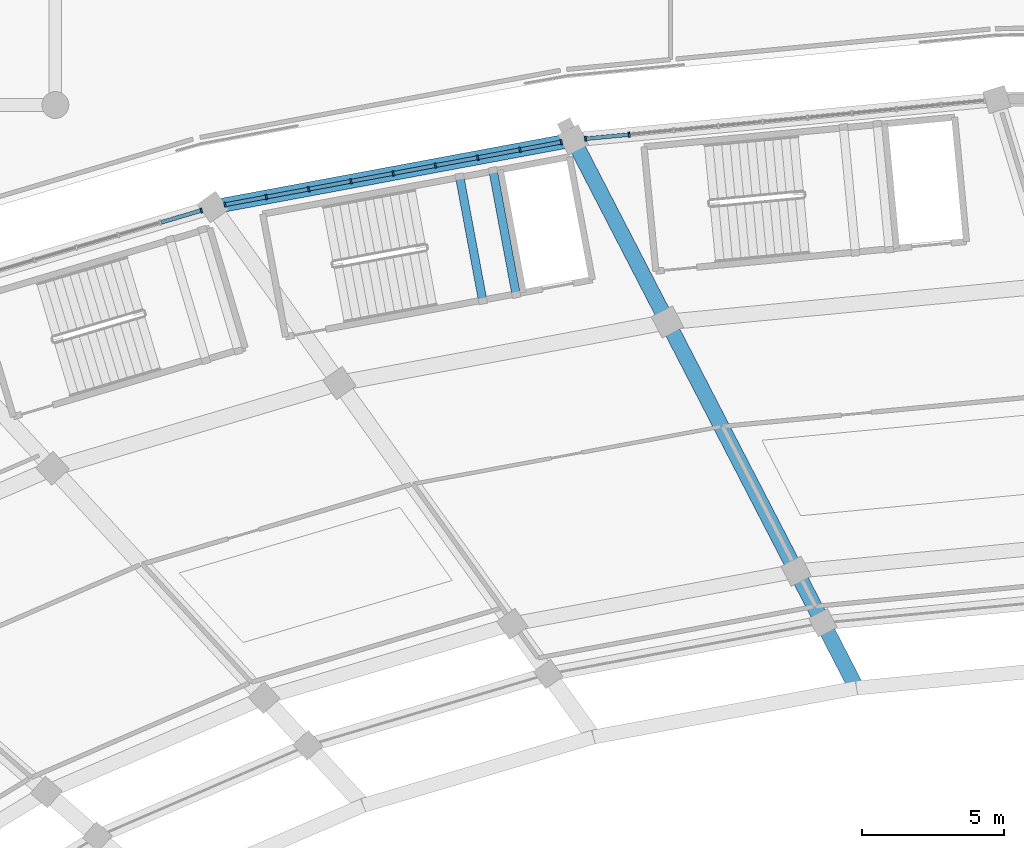
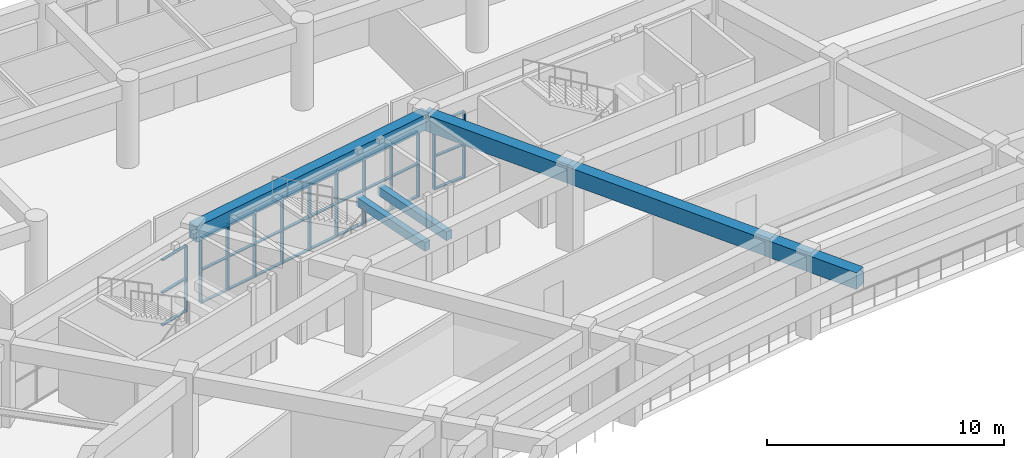
# One storey, part 63 of 145: 42 members, 5 beams, 3 elements without a shape of their own.
"""IFC4 building model written with IfcOpenShell, lengths in metres."""

from ifc_helpers import new_model, si_unit, direction, frame, origin, origin_2d, place, context, subcontext, project, spatial, rectangle, extrude, material, layer, layer_set, material_profile, profile_set, type_object, element, aggregate, save


model = new_model("IFC4")

# Units and contexts
model_context = context("Model", 3, precision=1e-05, world=origin(), true_north=direction((0.0, 1.0)))
body_context = subcontext(model_context, "Body", "Model", "MODEL_VIEW")
ifc_project = project(units=[si_unit("LENGTHUNIT", "METRE"), si_unit("AREAUNIT", "SQUARE_METRE"), si_unit("VOLUMEUNIT", "CUBIC_METRE"), si_unit("PLANEANGLEUNIT", "RADIAN"), si_unit("MASSUNIT", "GRAM", prefix="KILO")], contexts=[model_context])

# Site, building, storey
site_placement = place(None, origin())
site = spatial("IfcSite", under=ifc_project, at=site_placement, CompositionType="ELEMENT")
building_placement = place(site_placement, origin())
building = spatial("IfcBuilding", under=site, at=building_placement, Name="Mphavela Belvedere Stadium", CompositionType="ELEMENT")
storey_placement = place(building_placement, frame((0.0, 0.0, 10.199951171875)))
storey = spatial("IfcBuildingStorey", under=building, at=storey_placement, Name="L02", CompositionType="ELEMENT", Elevation=10.199951171875)

# Beams
ifc_material_1 = material(Name="Concrete C40/50", Category="concrete")
ifc_material_profile_1 = material_profile(ifc_material_1, rectangle(XDim=0.300048828125, YDim=0.449951171875, at=origin_2d()), Name="RC 300x450")
ifc_profile_set_1 = profile_set([ifc_material_profile_1], Name="Concrete C40/50")
beam_type_1 = type_object("IfcBeamType", Name="BM-RC300x450", PredefinedType="BEAM", material=ifc_profile_set_1)
for number, where, z_axis, x_axis, name in (
    (1, (74.728515625, 153.078125, 1.824951171875), (-0.18307487535, 0.983098972645, 0.0), (-0.983098972645, -0.18307487535, 0.0), "Core C02 landing trimmer beam L02-1"),
    (2, (75.908203125, 153.2978515625, 1.824951171875), (-0.18307487535, 0.983098972645, 0.0), (-0.983098972645, -0.18307487535, 0.0), "Core C02 landing trimmer beam L02-2"),
):
    element("IfcBeam", number, at=place(storey_placement, frame(where, z_axis=z_axis, x_axis=x_axis)), inside=storey, type_object=beam_type_1, Name=name, PredefinedType="BEAM", context=body_context, shape_type="SweptSolid", body=[
        extrude(rectangle(XDim=0.300048828125, YDim=0.449951171875, at=origin_2d()), origin(), (0.0, 0.0, 1.0), 4.469970703125),
    ])
ifc_material_2 = material(Name="Concrete C40/50", Category="concrete")
ifc_material_profile_2 = material_profile(ifc_material_2, rectangle(XDim=0.550048828125, YDim=0.85009765625, at=origin_2d()), Name="RC 550x850")
ifc_profile_set_2 = profile_set([ifc_material_profile_2], Name="Concrete C40/50")
beam_type_2 = type_object("IfcBeamType", Name="BM-RC550x850", PredefinedType="BEAM", material=ifc_profile_set_2)
beam_1_placement = place(storey_placement, frame((81.249755859375, 152.33544921875, 3.824951171875), z_axis=(-0.458951286165, 0.888461432436, 0.0), x_axis=(-0.888461432436, -0.458951286165, 0.0)))
element("IfcBeam", 3, at=beam_1_placement, inside=storey, type_object=beam_type_2, Name="Radial concourse girder L02 R3R4-15", PredefinedType="BEAM", context=body_context, shape_type="SweptSolid", body=[
    extrude(rectangle(XDim=0.550048828125, YDim=0.85009765625, at=origin_2d()), origin(), (0.0, 0.0, 1.0), 7.2392578125),
])
beam_2_placement = place(storey_placement, frame((87.9296875, 139.40380859375, 3.824951171875), z_axis=(-0.458943261437, 0.888465577713, 0.0), x_axis=(-0.888465577713, -0.458943261437, 0.0)))
element("IfcBeam", 4, at=beam_2_placement, inside=storey, type_object=beam_type_2, Name="Upper tier box-front outrigger girder 15", PredefinedType="BEAM", context=body_context, shape_type="SweptSolid", body=[
    extrude(rectangle(XDim=0.550048828125, YDim=0.85009765625, at=origin_2d()), origin(), (0.0, 0.0, 1.0), 14.554931640625),
])
ifc_material_3 = material(Name="Concrete C40/50", Category="concrete")
ifc_material_profile_3 = material_profile(ifc_material_3, rectangle(XDim=0.5, YDim=0.800048828125, at=origin_2d()), Name="RC 500x800")
ifc_profile_set_3 = profile_set([ifc_material_profile_3], Name="Concrete C40/50")
beam_type_3 = type_object("IfcBeamType", Name="BM-SPANDREL-800", PredefinedType="SPANDREL", material=ifc_profile_set_3)
beam_3_placement = place(storey_placement, frame((77.92724609375, 158.767333984375, 3.85009765625), z_axis=(-0.983098571421, -0.183077029882, 0.0), x_axis=(0.183077029882, -0.983098571421, 0.0)))
element("IfcBeam", 5, at=beam_3_placement, inside=storey, type_object=beam_type_3, Name="Circumferential girder L02 R4-15", PredefinedType="SPANDREL", context=body_context, shape_type="SweptSolid", body=[
    extrude(rectangle(XDim=0.5, YDim=0.800048828125, at=origin_2d()), origin(), (0.0, 0.0, 1.0), 12.947265625),
])

# Curtain wall, members
ifc_material_4 = material(Name="Anodised bronze unitised curtain wall framing")
ifc_layer_1 = layer(ifc_material_4, 0.18505859375)
ifc_layer_set_1 = layer_set([ifc_layer_1], Name="Anodised bronze unitised curtain wall framing")
curtain_wall_type_1 = type_object("IfcCurtainWallType", Name="CW-UNIT-02", PredefinedType="USERDEFINED", material=ifc_layer_set_1)
curtain_wall_1_placement = place(storey_placement, origin())
curtain_wall_1 = element("IfcCurtainWall", 6, at=curtain_wall_1_placement, inside=storey, type_object=curtain_wall_type_1, Name="Belvedere colonnade curtain wall L02-14", ObjectType="UNITISED CURTAIN WALL", PredefinedType="USERDEFINED")
ifc_material_5 = material(Name="Anodised bronze extruded aluminium", Category="aluminium")
ifc_material_profile_4 = material_profile(ifc_material_5, rectangle(XDim=0.179931640625, YDim=0.06494140625, at=origin_2d()), Name="CW-MUL 180x65")
ifc_profile_set_4 = profile_set([ifc_material_profile_4], Name="Anodised bronze extruded aluminium")
member_type_1 = type_object("IfcMemberType", Name="CWM-180x65", PredefinedType="MULLION", material=ifc_profile_set_4)
member_1_placement = place(storey_placement, frame((79.8974609375, 158.955322265625, 0.0), z_axis=(0.0, 0.0, 1.0), x_axis=(0.094925825406, -0.99548434828, 0.0)))
member_1 = element("IfcMember", 7, at=member_1_placement, type_object=member_type_1, Name="CW-02 mullion 9", PredefinedType="MULLION", context=body_context, shape_type="SweptSolid", body=[
    extrude(rectangle(XDim=0.179931640625, YDim=0.06494140625, at=origin_2d()), origin(), (0.0, 0.0, 1.0), 3.420166015625),
])
member_2_placement = place(storey_placement, frame((78.355712890625, 158.808349609375, 0.0), z_axis=(0.0, 0.0, 1.0), x_axis=(0.094925825406, -0.99548434828, 0.0)))
member_2 = element("IfcMember", 8, at=member_2_placement, type_object=member_type_1, Name="CW-02 mullion 10", PredefinedType="MULLION", context=body_context, shape_type="SweptSolid", body=[
    extrude(rectangle(XDim=0.179931640625, YDim=0.06494140625, at=origin_2d()), origin(), (0.0, 0.0, 1.0), 3.420166015625),
])

ifc_material_6 = material(Name="Anodised bronze unitised curtain wall framing")
ifc_layer_2 = layer(ifc_material_6, 0.18994140625)
ifc_layer_set_2 = layer_set([ifc_layer_2], Name="Anodised bronze unitised curtain wall framing")
curtain_wall_type_2 = type_object("IfcCurtainWallType", Name="CW-UNIT-03", PredefinedType="USERDEFINED", material=ifc_layer_set_2)
curtain_wall_2_placement = place(storey_placement, origin())
curtain_wall_2 = element("IfcCurtainWall", 9, at=curtain_wall_2_placement, inside=storey, type_object=curtain_wall_type_2, Name="Belvedere colonnade curtain wall L02-15", ObjectType="UNITISED CURTAIN WALL", PredefinedType="USERDEFINED")
member_3_placement = place(storey_placement, frame((77.50390625, 158.6884765625, 0.0), z_axis=(0.0, 0.0, 1.0), x_axis=(0.1830849431, -0.983097097753, 0.0)))
member_3 = element("IfcMember", 10, at=member_3_placement, type_object=member_type_1, Name="CW-03 mullion 1", PredefinedType="MULLION", context=body_context, shape_type="SweptSolid", body=[
    extrude(rectangle(XDim=0.179931640625, YDim=0.06494140625, at=origin_2d()), origin(), (0.0, 0.0, 1.0), 3.420166015625),
])
member_4_placement = place(storey_placement, frame((76.042724609375, 158.41650390625, 0.0), z_axis=(0.0, 0.0, 1.0), x_axis=(0.1830849431, -0.983097097753, 0.0)))
member_4 = element("IfcMember", 11, at=member_4_placement, type_object=member_type_1, Name="CW-03 mullion 2", PredefinedType="MULLION", context=body_context, shape_type="SweptSolid", body=[
    extrude(rectangle(XDim=0.179931640625, YDim=0.06494140625, at=origin_2d()), origin(), (0.0, 0.0, 1.0), 3.420166015625),
])
member_5_placement = place(storey_placement, frame((74.549560546875, 158.138427734375, 0.0), z_axis=(0.0, 0.0, 1.0), x_axis=(0.1830849431, -0.983097097753, 0.0)))
member_5 = element("IfcMember", 12, at=member_5_placement, type_object=member_type_1, Name="CW-03 mullion 3", PredefinedType="MULLION", context=body_context, shape_type="SweptSolid", body=[
    extrude(rectangle(XDim=0.179931640625, YDim=0.06494140625, at=origin_2d()), origin(), (0.0, 0.0, 1.0), 3.420166015625),
])
member_6_placement = place(storey_placement, frame((73.05615234375, 157.8603515625, 0.0), z_axis=(0.0, 0.0, 1.0), x_axis=(0.1830849431, -0.983097097753, 0.0)))
member_6 = element("IfcMember", 13, at=member_6_placement, type_object=member_type_1, Name="CW-03 mullion 4", PredefinedType="MULLION", context=body_context, shape_type="SweptSolid", body=[
    extrude(rectangle(XDim=0.179931640625, YDim=0.06494140625, at=origin_2d()), origin(), (0.0, 0.0, 1.0), 3.420166015625),
])
member_7_placement = place(storey_placement, frame((71.56298828125, 157.58203125, 0.0), z_axis=(0.0, 0.0, 1.0), x_axis=(0.1830849431, -0.983097097753, 0.0)))
member_7 = element("IfcMember", 14, at=member_7_placement, type_object=member_type_1, Name="CW-03 mullion 5", PredefinedType="MULLION", context=body_context, shape_type="SweptSolid", body=[
    extrude(rectangle(XDim=0.179931640625, YDim=0.06494140625, at=origin_2d()), origin(), (0.0, 0.0, 1.0), 3.420166015625),
])
member_8_placement = place(storey_placement, frame((70.06982421875, 157.303955078125, 0.0), z_axis=(0.0, 0.0, 1.0), x_axis=(0.1830849431, -0.983097097753, 0.0)))
member_8 = element("IfcMember", 15, at=member_8_placement, type_object=member_type_1, Name="CW-03 mullion 6", PredefinedType="MULLION", context=body_context, shape_type="SweptSolid", body=[
    extrude(rectangle(XDim=0.179931640625, YDim=0.06494140625, at=origin_2d()), origin(), (0.0, 0.0, 1.0), 3.420166015625),
])
member_9_placement = place(storey_placement, frame((68.57666015625, 157.02587890625, 0.0), z_axis=(0.0, 0.0, 1.0), x_axis=(0.1830849431, -0.983097097753, 0.0)))
member_9 = element("IfcMember", 16, at=member_9_placement, type_object=member_type_1, Name="CW-03 mullion 7", PredefinedType="MULLION", context=body_context, shape_type="SweptSolid", body=[
    extrude(rectangle(XDim=0.179931640625, YDim=0.06494140625, at=origin_2d()), origin(), (0.0, 0.0, 1.0), 3.420166015625),
])
member_10_placement = place(storey_placement, frame((67.083251953125, 156.747802734375, 0.0), z_axis=(0.0, 0.0, 1.0), x_axis=(0.1830849431, -0.983097097753, 0.0)))
member_10 = element("IfcMember", 17, at=member_10_placement, type_object=member_type_1, Name="CW-03 mullion 8", PredefinedType="MULLION", context=body_context, shape_type="SweptSolid", body=[
    extrude(rectangle(XDim=0.179931640625, YDim=0.06494140625, at=origin_2d()), origin(), (0.0, 0.0, 1.0), 3.420166015625),
])
member_11_placement = place(storey_placement, frame((65.6220703125, 156.475830078125, 0.0), z_axis=(0.0, 0.0, 1.0), x_axis=(0.1830849431, -0.983097097753, 0.0)))
member_11 = element("IfcMember", 18, at=member_11_placement, type_object=member_type_1, Name="CW-03 mullion 9", PredefinedType="MULLION", context=body_context, shape_type="SweptSolid", body=[
    extrude(rectangle(XDim=0.179931640625, YDim=0.06494140625, at=origin_2d()), origin(), (0.0, 0.0, 1.0), 3.420166015625),
])

# Curtain wall, member
ifc_material_7 = material(Name="Anodised bronze unitised curtain wall framing")
ifc_layer_3 = layer(ifc_material_7, 0.195068359375)
ifc_layer_set_3 = layer_set([ifc_layer_3], Name="Anodised bronze unitised curtain wall framing")
curtain_wall_type_3 = type_object("IfcCurtainWallType", Name="CW-UNIT-04", PredefinedType="USERDEFINED", material=ifc_layer_set_3)
curtain_wall_3_placement = place(storey_placement, origin())
curtain_wall_3 = element("IfcCurtainWall", 19, at=curtain_wall_3_placement, inside=storey, type_object=curtain_wall_type_3, Name="Belvedere colonnade curtain wall L02-16", ObjectType="UNITISED CURTAIN WALL", PredefinedType="USERDEFINED")
member_12_placement = place(storey_placement, frame((64.7861328125, 156.2744140625, 0.0), z_axis=(0.0, 0.0, 1.0), x_axis=(0.284547064542, -0.95866207188, 0.0)))
member_12 = element("IfcMember", 20, at=member_12_placement, type_object=member_type_1, Name="CW-04 mullion 1", PredefinedType="MULLION", context=body_context, shape_type="SweptSolid", body=[
    extrude(rectangle(XDim=0.179931640625, YDim=0.06494140625, at=origin_2d()), origin(), (0.0, 0.0, 1.0), 3.420166015625),
])

# Member
ifc_material_8 = material(Name="Anodised bronze extruded aluminium", Category="aluminium")
ifc_material_profile_5 = material_profile(ifc_material_8, rectangle(XDim=0.139892578125, YDim=0.06005859375, at=origin_2d()), Name="CW-TRN 140x60")
ifc_profile_set_5 = profile_set([ifc_material_profile_5], Name="Anodised bronze extruded aluminium")
member_type_2 = type_object("IfcMemberType", Name="CWT-140x60", PredefinedType="USERDEFINED", material=ifc_profile_set_5)
member_13_placement = place(storey_placement, frame((79.864990234375, 158.9521484375, 0.030029296875), z_axis=(-0.995481408525, -0.094956649482, 0.0), x_axis=(0.094956649482, -0.995481408525, 0.0)))
member_13 = element("IfcMember", 21, at=member_13_placement, type_object=member_type_2, Name="CW-02 transom 9.1", ObjectType="TRANSOM", PredefinedType="USERDEFINED", context=body_context, shape_type="SweptSolid", body=[
    extrude(rectangle(XDim=0.139892578125, YDim=0.06005859375, at=origin_2d()), origin(), (0.0, 0.0, 1.0), 1.4833984375),
])

member_14_placement = place(storey_placement, frame((79.864990234375, 158.9521484375, 1.7099609375), z_axis=(-0.995481408525, -0.094956649482, 0.0), x_axis=(0.094956649482, -0.995481408525, 0.0)))
member_14 = element("IfcMember", 22, at=member_14_placement, type_object=member_type_2, Name="CW-02 transom 9.2", ObjectType="TRANSOM", PredefinedType="USERDEFINED", context=body_context, shape_type="SweptSolid", body=[
    extrude(rectangle(XDim=0.139892578125, YDim=0.06005859375, at=origin_2d()), origin(), (0.0, 0.0, 1.0), 1.4833984375),
])

member_15_placement = place(storey_placement, frame((79.864990234375, 158.9521484375, 3.39013671875), z_axis=(-0.995481408525, -0.094956649482, 0.0), x_axis=(0.094956649482, -0.995481408525, 0.0)))
member_15 = element("IfcMember", 23, at=member_15_placement, type_object=member_type_2, Name="CW-02 transom 9.3", ObjectType="TRANSOM", PredefinedType="USERDEFINED", context=body_context, shape_type="SweptSolid", body=[
    extrude(rectangle(XDim=0.139892578125, YDim=0.06005859375, at=origin_2d()), origin(), (0.0, 0.0, 1.0), 1.4833984375),
])

aggregate(curtain_wall_1, [member_1, member_2, member_13, member_14, member_15])

member_16_placement = place(storey_placement, frame((77.471923828125, 158.6826171875, 0.030029296875), z_axis=(-0.98309123567, -0.183116417477, 0.0), x_axis=(0.183116417477, -0.98309123567, 0.0)))
member_16 = element("IfcMember", 24, at=member_16_placement, type_object=member_type_2, Name="CW-03 transom 1.1", ObjectType="TRANSOM", PredefinedType="USERDEFINED", context=body_context, shape_type="SweptSolid", body=[
    extrude(rectangle(XDim=0.139892578125, YDim=0.06005859375, at=origin_2d()), origin(), (0.0, 0.0, 1.0), 1.421142578125),
])

member_17_placement = place(storey_placement, frame((77.471923828125, 158.6826171875, 1.7099609375), z_axis=(-0.98309123567, -0.183116417477, 0.0), x_axis=(0.183116417477, -0.98309123567, 0.0)))
member_17 = element("IfcMember", 25, at=member_17_placement, type_object=member_type_2, Name="CW-03 transom 1.2", ObjectType="TRANSOM", PredefinedType="USERDEFINED", context=body_context, shape_type="SweptSolid", body=[
    extrude(rectangle(XDim=0.139892578125, YDim=0.06005859375, at=origin_2d()), origin(), (0.0, 0.0, 1.0), 1.421142578125),
])

member_18_placement = place(storey_placement, frame((77.471923828125, 158.6826171875, 3.39013671875), z_axis=(-0.98309123567, -0.183116417477, 0.0), x_axis=(0.183116417477, -0.98309123567, 0.0)))
member_18 = element("IfcMember", 26, at=member_18_placement, type_object=member_type_2, Name="CW-03 transom 1.3", ObjectType="TRANSOM", PredefinedType="USERDEFINED", context=body_context, shape_type="SweptSolid", body=[
    extrude(rectangle(XDim=0.139892578125, YDim=0.06005859375, at=origin_2d()), origin(), (0.0, 0.0, 1.0), 1.421142578125),
])

member_19_placement = place(storey_placement, frame((76.0107421875, 158.410400390625, 0.030029296875), z_axis=(-0.983108977499, -0.18302114184, 0.0), x_axis=(0.18302114184, -0.983108977499, 0.0)))
member_19 = element("IfcMember", 27, at=member_19_placement, type_object=member_type_2, Name="CW-03 transom 2.1", ObjectType="TRANSOM", PredefinedType="USERDEFINED", context=body_context, shape_type="SweptSolid", body=[
    extrude(rectangle(XDim=0.139892578125, YDim=0.06005859375, at=origin_2d()), origin(), (0.0, 0.0, 1.0), 1.4541015625),
])

member_20_placement = place(storey_placement, frame((76.0107421875, 158.410400390625, 1.7099609375), z_axis=(-0.983108977499, -0.18302114184, 0.0), x_axis=(0.18302114184, -0.983108977499, 0.0)))
member_20 = element("IfcMember", 28, at=member_20_placement, type_object=member_type_2, Name="CW-03 transom 2.2", ObjectType="TRANSOM", PredefinedType="USERDEFINED", context=body_context, shape_type="SweptSolid", body=[
    extrude(rectangle(XDim=0.139892578125, YDim=0.06005859375, at=origin_2d()), origin(), (0.0, 0.0, 1.0), 1.4541015625),
])

member_21_placement = place(storey_placement, frame((76.0107421875, 158.410400390625, 3.39013671875), z_axis=(-0.983108977499, -0.18302114184, 0.0), x_axis=(0.18302114184, -0.983108977499, 0.0)))
member_21 = element("IfcMember", 29, at=member_21_placement, type_object=member_type_2, Name="CW-03 transom 2.3", ObjectType="TRANSOM", PredefinedType="USERDEFINED", context=body_context, shape_type="SweptSolid", body=[
    extrude(rectangle(XDim=0.139892578125, YDim=0.06005859375, at=origin_2d()), origin(), (0.0, 0.0, 1.0), 1.4541015625),
])

member_22_placement = place(storey_placement, frame((74.517578125, 158.13232421875, 0.030029296875), z_axis=(-0.983108977499, -0.18302114184, 0.0), x_axis=(0.18302114184, -0.983108977499, 0.0)))
member_22 = element("IfcMember", 30, at=member_22_placement, type_object=member_type_2, Name="CW-03 transom 3.1", ObjectType="TRANSOM", PredefinedType="USERDEFINED", context=body_context, shape_type="SweptSolid", body=[
    extrude(rectangle(XDim=0.139892578125, YDim=0.06005859375, at=origin_2d()), origin(), (0.0, 0.0, 1.0), 1.4541015625),
])

member_23_placement = place(storey_placement, frame((74.517578125, 158.13232421875, 1.7099609375), z_axis=(-0.983108977499, -0.18302114184, 0.0), x_axis=(0.18302114184, -0.983108977499, 0.0)))
member_23 = element("IfcMember", 31, at=member_23_placement, type_object=member_type_2, Name="CW-03 transom 3.2", ObjectType="TRANSOM", PredefinedType="USERDEFINED", context=body_context, shape_type="SweptSolid", body=[
    extrude(rectangle(XDim=0.139892578125, YDim=0.06005859375, at=origin_2d()), origin(), (0.0, 0.0, 1.0), 1.4541015625),
])

member_24_placement = place(storey_placement, frame((74.517578125, 158.13232421875, 3.39013671875), z_axis=(-0.983108977499, -0.18302114184, 0.0), x_axis=(0.18302114184, -0.983108977499, 0.0)))
member_24 = element("IfcMember", 32, at=member_24_placement, type_object=member_type_2, Name="CW-03 transom 3.3", ObjectType="TRANSOM", PredefinedType="USERDEFINED", context=body_context, shape_type="SweptSolid", body=[
    extrude(rectangle(XDim=0.139892578125, YDim=0.06005859375, at=origin_2d()), origin(), (0.0, 0.0, 1.0), 1.4541015625),
])

member_25_placement = place(storey_placement, frame((73.024169921875, 157.854248046875, 0.030029296875), z_axis=(-0.983103351692, -0.183051358617, 0.0), x_axis=(0.183051358617, -0.983103351692, 0.0)))
member_25 = element("IfcMember", 33, at=member_25_placement, type_object=member_type_2, Name="CW-03 transom 4.1", ObjectType="TRANSOM", PredefinedType="USERDEFINED", context=body_context, shape_type="SweptSolid", body=[
    extrude(rectangle(XDim=0.139892578125, YDim=0.06005859375, at=origin_2d()), origin(), (0.0, 0.0, 1.0), 1.453857421875),
])

member_26_placement = place(storey_placement, frame((73.024169921875, 157.854248046875, 1.7099609375), z_axis=(-0.983103351692, -0.183051358617, 0.0), x_axis=(0.183051358617, -0.983103351692, 0.0)))
member_26 = element("IfcMember", 34, at=member_26_placement, type_object=member_type_2, Name="CW-03 transom 4.2", ObjectType="TRANSOM", PredefinedType="USERDEFINED", context=body_context, shape_type="SweptSolid", body=[
    extrude(rectangle(XDim=0.139892578125, YDim=0.06005859375, at=origin_2d()), origin(), (0.0, 0.0, 1.0), 1.453857421875),
])

member_27_placement = place(storey_placement, frame((73.024169921875, 157.854248046875, 3.39013671875), z_axis=(-0.983103351692, -0.183051358617, 0.0), x_axis=(0.183051358617, -0.983103351692, 0.0)))
member_27 = element("IfcMember", 35, at=member_27_placement, type_object=member_type_2, Name="CW-03 transom 4.3", ObjectType="TRANSOM", PredefinedType="USERDEFINED", context=body_context, shape_type="SweptSolid", body=[
    extrude(rectangle(XDim=0.139892578125, YDim=0.06005859375, at=origin_2d()), origin(), (0.0, 0.0, 1.0), 1.453857421875),
])

member_28_placement = place(storey_placement, frame((71.531005859375, 157.576171875, 0.030029296875), z_axis=(-0.983103351692, -0.183051358617, 0.0), x_axis=(0.183051358617, -0.983103351692, 0.0)))
member_28 = element("IfcMember", 36, at=member_28_placement, type_object=member_type_2, Name="CW-03 transom 5.1", ObjectType="TRANSOM", PredefinedType="USERDEFINED", context=body_context, shape_type="SweptSolid", body=[
    extrude(rectangle(XDim=0.139892578125, YDim=0.06005859375, at=origin_2d()), origin(), (0.0, 0.0, 1.0), 1.453857421875),
])

member_29_placement = place(storey_placement, frame((71.531005859375, 157.576171875, 1.7099609375), z_axis=(-0.983103351692, -0.183051358617, 0.0), x_axis=(0.183051358617, -0.983103351692, 0.0)))
member_29 = element("IfcMember", 37, at=member_29_placement, type_object=member_type_2, Name="CW-03 transom 5.2", ObjectType="TRANSOM", PredefinedType="USERDEFINED", context=body_context, shape_type="SweptSolid", body=[
    extrude(rectangle(XDim=0.139892578125, YDim=0.06005859375, at=origin_2d()), origin(), (0.0, 0.0, 1.0), 1.453857421875),
])

member_30_placement = place(storey_placement, frame((71.531005859375, 157.576171875, 3.39013671875), z_axis=(-0.983103351692, -0.183051358617, 0.0), x_axis=(0.183051358617, -0.983103351692, 0.0)))
member_30 = element("IfcMember", 38, at=member_30_placement, type_object=member_type_2, Name="CW-03 transom 5.3", ObjectType="TRANSOM", PredefinedType="USERDEFINED", context=body_context, shape_type="SweptSolid", body=[
    extrude(rectangle(XDim=0.139892578125, YDim=0.06005859375, at=origin_2d()), origin(), (0.0, 0.0, 1.0), 1.453857421875),
])

member_31_placement = place(storey_placement, frame((70.037841796875, 157.298095703125, 0.030029296875), z_axis=(-0.983108977499, -0.18302114184, 0.0), x_axis=(0.18302114184, -0.983108977499, 0.0)))
member_31 = element("IfcMember", 39, at=member_31_placement, type_object=member_type_2, Name="CW-03 transom 6.1", ObjectType="TRANSOM", PredefinedType="USERDEFINED", context=body_context, shape_type="SweptSolid", body=[
    extrude(rectangle(XDim=0.139892578125, YDim=0.06005859375, at=origin_2d()), origin(), (0.0, 0.0, 1.0), 1.4541015625),
])

member_32_placement = place(storey_placement, frame((70.037841796875, 157.298095703125, 1.7099609375), z_axis=(-0.983108977499, -0.18302114184, 0.0), x_axis=(0.18302114184, -0.983108977499, 0.0)))
member_32 = element("IfcMember", 40, at=member_32_placement, type_object=member_type_2, Name="CW-03 transom 6.2", ObjectType="TRANSOM", PredefinedType="USERDEFINED", context=body_context, shape_type="SweptSolid", body=[
    extrude(rectangle(XDim=0.139892578125, YDim=0.06005859375, at=origin_2d()), origin(), (0.0, 0.0, 1.0), 1.4541015625),
])

member_33_placement = place(storey_placement, frame((70.037841796875, 157.298095703125, 3.39013671875), z_axis=(-0.983108977499, -0.18302114184, 0.0), x_axis=(0.18302114184, -0.983108977499, 0.0)))
member_33 = element("IfcMember", 41, at=member_33_placement, type_object=member_type_2, Name="CW-03 transom 6.3", ObjectType="TRANSOM", PredefinedType="USERDEFINED", context=body_context, shape_type="SweptSolid", body=[
    extrude(rectangle(XDim=0.139892578125, YDim=0.06005859375, at=origin_2d()), origin(), (0.0, 0.0, 1.0), 1.4541015625),
])

member_34_placement = place(storey_placement, frame((68.544677734375, 157.02001953125, 0.030029296875), z_axis=(-0.983108977499, -0.18302114184, 0.0), x_axis=(0.18302114184, -0.983108977499, 0.0)))
member_34 = element("IfcMember", 42, at=member_34_placement, type_object=member_type_2, Name="CW-03 transom 7.1", ObjectType="TRANSOM", PredefinedType="USERDEFINED", context=body_context, shape_type="SweptSolid", body=[
    extrude(rectangle(XDim=0.139892578125, YDim=0.06005859375, at=origin_2d()), origin(), (0.0, 0.0, 1.0), 1.4541015625),
])

member_35_placement = place(storey_placement, frame((68.544677734375, 157.02001953125, 1.7099609375), z_axis=(-0.983108977499, -0.18302114184, 0.0), x_axis=(0.18302114184, -0.983108977499, 0.0)))
member_35 = element("IfcMember", 43, at=member_35_placement, type_object=member_type_2, Name="CW-03 transom 7.2", ObjectType="TRANSOM", PredefinedType="USERDEFINED", context=body_context, shape_type="SweptSolid", body=[
    extrude(rectangle(XDim=0.139892578125, YDim=0.06005859375, at=origin_2d()), origin(), (0.0, 0.0, 1.0), 1.4541015625),
])

member_36_placement = place(storey_placement, frame((68.544677734375, 157.02001953125, 3.39013671875), z_axis=(-0.983108977499, -0.18302114184, 0.0), x_axis=(0.18302114184, -0.983108977499, 0.0)))
member_36 = element("IfcMember", 44, at=member_36_placement, type_object=member_type_2, Name="CW-03 transom 7.3", ObjectType="TRANSOM", PredefinedType="USERDEFINED", context=body_context, shape_type="SweptSolid", body=[
    extrude(rectangle(XDim=0.139892578125, YDim=0.06005859375, at=origin_2d()), origin(), (0.0, 0.0, 1.0), 1.4541015625),
])

member_37_placement = place(storey_placement, frame((67.05126953125, 156.741943359375, 0.030029296875), z_axis=(-0.98309123567, -0.183116417477, 0.0), x_axis=(0.183116417477, -0.98309123567, 0.0)))
member_37 = element("IfcMember", 45, at=member_37_placement, type_object=member_type_2, Name="CW-03 transom 8.1", ObjectType="TRANSOM", PredefinedType="USERDEFINED", context=body_context, shape_type="SweptSolid", body=[
    extrude(rectangle(XDim=0.139892578125, YDim=0.06005859375, at=origin_2d()), origin(), (0.0, 0.0, 1.0), 1.421142578125),
])

member_38_placement = place(storey_placement, frame((67.05126953125, 156.741943359375, 1.7099609375), z_axis=(-0.98309123567, -0.183116417477, 0.0), x_axis=(0.183116417477, -0.98309123567, 0.0)))
member_38 = element("IfcMember", 46, at=member_38_placement, type_object=member_type_2, Name="CW-03 transom 8.2", ObjectType="TRANSOM", PredefinedType="USERDEFINED", context=body_context, shape_type="SweptSolid", body=[
    extrude(rectangle(XDim=0.139892578125, YDim=0.06005859375, at=origin_2d()), origin(), (0.0, 0.0, 1.0), 1.421142578125),
])

member_39_placement = place(storey_placement, frame((67.05126953125, 156.741943359375, 3.39013671875), z_axis=(-0.98309123567, -0.183116417477, 0.0), x_axis=(0.183116417477, -0.98309123567, 0.0)))
member_39 = element("IfcMember", 47, at=member_39_placement, type_object=member_type_2, Name="CW-03 transom 8.3", ObjectType="TRANSOM", PredefinedType="USERDEFINED", context=body_context, shape_type="SweptSolid", body=[
    extrude(rectangle(XDim=0.139892578125, YDim=0.06005859375, at=origin_2d()), origin(), (0.0, 0.0, 1.0), 1.421142578125),
])

aggregate(curtain_wall_2, [member_3, member_4, member_5, member_6, member_7, member_8, member_9, member_10, member_11, member_16, member_17, member_18, member_19, member_20, member_21, member_22, member_23, member_24, member_25, member_26, member_27, member_28, member_29, member_30, member_31, member_32, member_33, member_34, member_35, member_36, member_37, member_38, member_39])

member_40_placement = place(storey_placement, frame((64.7548828125, 156.26513671875, 0.030029296875), z_axis=(-0.95866195574, -0.284547455827, 0.0), x_axis=(0.284547455827, -0.95866195574, 0.0)))
member_40 = element("IfcMember", 48, at=member_40_placement, type_object=member_type_2, Name="CW-04 transom 1.1", ObjectType="TRANSOM", PredefinedType="USERDEFINED", context=body_context, shape_type="SweptSolid", body=[
    extrude(rectangle(XDim=0.139892578125, YDim=0.06005859375, at=origin_2d()), origin(), (0.0, 0.0, 1.0), 1.4482421875),
])

member_41_placement = place(storey_placement, frame((64.7548828125, 156.26513671875, 1.7099609375), z_axis=(-0.95866195574, -0.284547455827, 0.0), x_axis=(0.284547455827, -0.95866195574, 0.0)))
member_41 = element("IfcMember", 49, at=member_41_placement, type_object=member_type_2, Name="CW-04 transom 1.2", ObjectType="TRANSOM", PredefinedType="USERDEFINED", context=body_context, shape_type="SweptSolid", body=[
    extrude(rectangle(XDim=0.139892578125, YDim=0.06005859375, at=origin_2d()), origin(), (0.0, 0.0, 1.0), 1.4482421875),
])

member_42_placement = place(storey_placement, frame((64.7548828125, 156.26513671875, 3.39013671875), z_axis=(-0.95866195574, -0.284547455827, 0.0), x_axis=(0.284547455827, -0.95866195574, 0.0)))
member_42 = element("IfcMember", 50, at=member_42_placement, type_object=member_type_2, Name="CW-04 transom 1.3", ObjectType="TRANSOM", PredefinedType="USERDEFINED", context=body_context, shape_type="SweptSolid", body=[
    extrude(rectangle(XDim=0.139892578125, YDim=0.06005859375, at=origin_2d()), origin(), (0.0, 0.0, 1.0), 1.4482421875),
])

aggregate(curtain_wall_3, [member_12, member_40, member_41, member_42])

save(model, "model.ifc")
